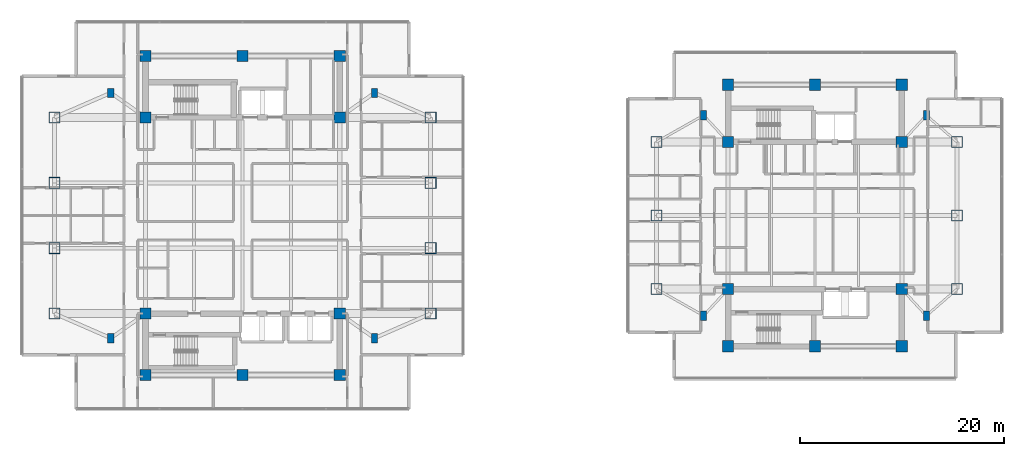
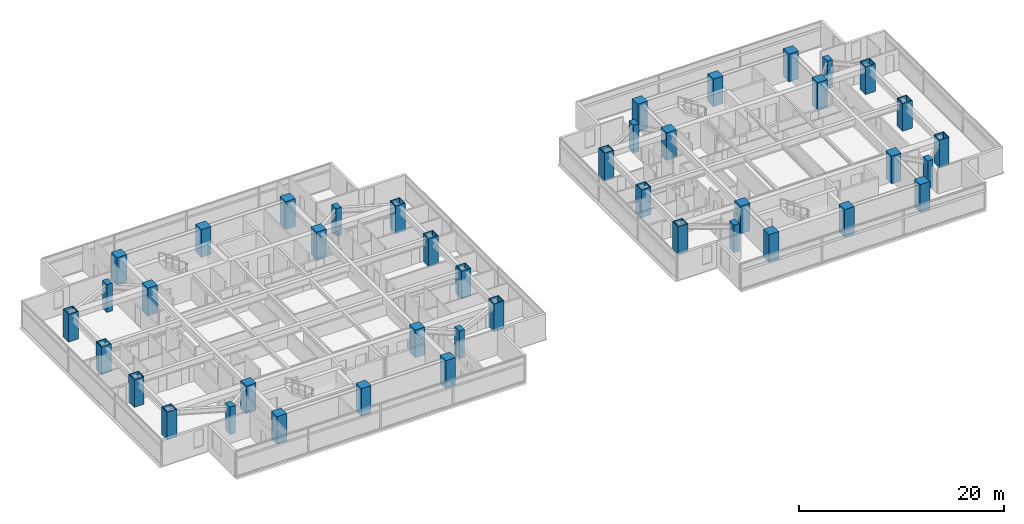
# One storey, part 1 of 24: 42 columns.
"""IFC4 building model written with IfcOpenShell, lengths in metres."""

from ifc_helpers import new_model, si_unit, direction, frame, origin, origin_2d, place, context, subcontext, project, spatial, rectangle, hollow_rectangle, extrude, material, material_profile, profile_set, type_object, element, save


model = new_model("IFC4")

# Units and contexts
model_context = context("Model", 3, precision=1e-05, world=origin(), true_north=direction((0.0, 1.0)))
body_context = subcontext(model_context, "Body", "Model", "MODEL_VIEW")
ifc_project = project(units=[si_unit("LENGTHUNIT", "METRE"), si_unit("AREAUNIT", "SQUARE_METRE"), si_unit("VOLUMEUNIT", "CUBIC_METRE"), si_unit("PLANEANGLEUNIT", "RADIAN"), si_unit("MASSUNIT", "GRAM", prefix="KILO")], contexts=[model_context])

# Site, building, storey
site_placement = place(None, origin())
site = spatial("IfcSite", under=ifc_project, at=site_placement, CompositionType="ELEMENT")
building_placement = place(site_placement, origin())
building = spatial("IfcBuilding", under=site, at=building_placement, Name="Mirazonda Arch Towers", CompositionType="ELEMENT")
storey_placement = place(building_placement, frame((0.0, 0.0, 137.89990234375)))
storey = spatial("IfcBuildingStorey", under=building, at=storey_placement, Name="L39", CompositionType="ELEMENT", Elevation=137.89990234375)

# Columns
ifc_material_1 = material(Name="Concrete C50/60", Category="concrete")
ifc_material_profile_1 = material_profile(ifc_material_1, rectangle(XDim=1.10009765625, YDim=1.10009765625, at=origin_2d()), Name="RC1100x1100")
ifc_profile_set_1 = profile_set([ifc_material_profile_1], Name="Concrete C50/60")
column_type_1 = type_object("IfcColumnType", Name="COL-INT-RC1100x1100", PredefinedType="COLUMN", material=ifc_profile_set_1)
for number, where, z_axis, x_axis, name in (
    (1, (11.0, 12.39990234375, 0.0), (0.0, 0.0, 1.0), (1.0, 0.0, 0.0), "L39 T1 Core Column 01"),
    (2, (20.5, 12.39990234375, 0.0), (0.0, 0.0, 1.0), (1.0, 0.0, 0.0), "L39 T1 Core Column 02"),
    (3, (30.0, 12.39990234375, 0.0), (0.0, 0.0, 1.0), (1.0, 0.0, 0.0), "L39 T1 Core Column 03"),
    (4, (11.0, 18.39990234375, 0.0), (0.0, 0.0, 1.0), (1.0, 0.0, 0.0), "L39 T1 Core Column 04"),
    (5, (30.0, 18.39990234375, 0.0), (0.0, 0.0, 1.0), (1.0, 0.0, 0.0), "L39 T1 Core Column 05"),
    (6, (11.0, 37.60009765625, 0.0), (0.0, 0.0, 1.0), (1.0, 0.0, 0.0), "L39 T1 Core Column 06"),
    (7, (30.0, 37.60009765625, 0.0), (0.0, 0.0, 1.0), (1.0, 0.0, 0.0), "L39 T1 Core Column 07"),
    (8, (11.0, 43.60009765625, 0.0), (0.0, 0.0, 1.0), (1.0, 0.0, 0.0), "L39 T1 Core Column 08"),
    (9, (20.5, 43.60009765625, 0.0), (0.0, 0.0, 1.0), (1.0, 0.0, 0.0), "L39 T1 Core Column 09"),
    (10, (30.0, 43.60009765625, 0.0), (0.0, 0.0, 1.0), (1.0, 0.0, 0.0), "L39 T1 Core Column 10"),
    (11, (68.0, 15.199951171875, 0.0), (0.0, 0.0, 1.0), (1.0, 0.0, 0.0), "L39 T2 Core Column 01"),
    (12, (76.5, 15.199951171875, 0.0), (0.0, 0.0, 1.0), (1.0, 0.0, 0.0), "L39 T2 Core Column 02"),
    (13, (85.0, 15.199951171875, 0.0), (0.0, 0.0, 1.0), (1.0, 0.0, 0.0), "L39 T2 Core Column 03"),
    (14, (68.0, 20.800048828125, 0.0), (0.0, 0.0, 1.0), (1.0, 0.0, 0.0), "L39 T2 Core Column 04"),
    (15, (85.0, 20.800048828125, 0.0), (0.0, 0.0, 1.0), (1.0, 0.0, 0.0), "L39 T2 Core Column 05"),
    (16, (68.0, 35.199951171875, 0.0), (0.0, 0.0, 1.0), (1.0, 0.0, 0.0), "L39 T2 Core Column 06"),
    (17, (85.0, 35.199951171875, 0.0), (0.0, 0.0, 1.0), (1.0, 0.0, 0.0), "L39 T2 Core Column 07"),
    (18, (68.0, 40.800048828125, 0.0), (0.0, 0.0, 1.0), (1.0, 0.0, 0.0), "L39 T2 Core Column 08"),
    (19, (76.5, 40.800048828125, 0.0), (0.0, 0.0, 1.0), (1.0, 0.0, 0.0), "L39 T2 Core Column 09"),
    (20, (85.0, 40.800048828125, 0.0), (0.0, 0.0, 1.0), (1.0, 0.0, 0.0), "L39 T2 Core Column 10"),
):
    element("IfcColumn", number, at=place(storey_placement, frame(where, z_axis=z_axis, x_axis=x_axis)), inside=storey, type_object=column_type_1, Name=name, PredefinedType="COLUMN", context=body_context, shape_type="SweptSolid", body=[
        extrude(rectangle(XDim=1.10009765625, YDim=1.10009765625, at=origin_2d()), origin(), (0.0, 0.0, 1.0), 3.300048828125),
    ])
ifc_material_2 = material(Name="Steel ASTM A572 Grade 50", Category="steel")
ifc_material_profile_2 = material_profile(ifc_material_2, hollow_rectangle(XDim=1.10009765625, YDim=1.10009765625, WallThickness=0.06005859375, at=origin_2d()), Name="BOX1100x1100x60")
ifc_profile_set_2 = profile_set([ifc_material_profile_2], Name="Steel ASTM A572 Grade 50")
column_type_2 = type_object("IfcColumnType", Name="MCOL-EXT-BOX1100x1100x60", PredefinedType="COLUMN", material=ifc_profile_set_2)
for number, where, z_axis, x_axis, name in (
    (21, (2.10009765625, 18.39990234375, 0.0), (0.0, 0.0, 1.0), (1.0, 0.0, 0.0), "L39 T1 Composite Mega-Column 01"),
    (22, (2.10009765625, 24.800048828125, 0.0), (0.0, 0.0, 1.0), (1.0, 0.0, 0.0), "L39 T1 Composite Mega-Column 02"),
    (23, (2.10009765625, 31.199951171875, 0.0), (0.0, 0.0, 1.0), (1.0, 0.0, 0.0), "L39 T1 Composite Mega-Column 03"),
    (24, (2.10009765625, 37.60009765625, 0.0), (0.0, 0.0, 1.0), (1.0, 0.0, 0.0), "L39 T1 Composite Mega-Column 04"),
    (25, (38.89990234375, 18.39990234375, 0.0), (0.0, 0.0, 1.0), (1.0, 0.0, 0.0), "L39 T1 Composite Mega-Column 05"),
    (26, (38.89990234375, 24.800048828125, 0.0), (0.0, 0.0, 1.0), (1.0, 0.0, 0.0), "L39 T1 Composite Mega-Column 06"),
    (27, (38.89990234375, 31.199951171875, 0.0), (0.0, 0.0, 1.0), (1.0, 0.0, 0.0), "L39 T1 Composite Mega-Column 07"),
    (28, (38.89990234375, 37.60009765625, 0.0), (0.0, 0.0, 1.0), (1.0, 0.0, 0.0), "L39 T1 Composite Mega-Column 08"),
    (29, (61.0, 20.800048828125, 0.0), (0.0, 0.0, 1.0), (1.0, 0.0, 0.0), "L39 T2 Composite Mega-Column 01"),
    (30, (61.0, 28.0, 0.0), (0.0, 0.0, 1.0), (1.0, 0.0, 0.0), "L39 T2 Composite Mega-Column 02"),
    (31, (61.0, 35.199951171875, 0.0), (0.0, 0.0, 1.0), (1.0, 0.0, 0.0), "L39 T2 Composite Mega-Column 03"),
    (32, (90.39990234375, 20.800048828125, 0.0), (0.0, 0.0, 1.0), (1.0, 0.0, 0.0), "L39 T2 Composite Mega-Column 04"),
    (33, (90.39990234375, 28.0, 0.0), (0.0, 0.0, 1.0), (1.0, 0.0, 0.0), "L39 T2 Composite Mega-Column 05"),
    (34, (90.39990234375, 35.199951171875, 0.0), (0.0, 0.0, 1.0), (1.0, 0.0, 0.0), "L39 T2 Composite Mega-Column 06"),
):
    element("IfcColumn", number, at=place(storey_placement, frame(where, z_axis=z_axis, x_axis=x_axis)), inside=storey, type_object=column_type_2, Name=name, PredefinedType="COLUMN", context=body_context, shape_type="SweptSolid", body=[
        extrude(hollow_rectangle(XDim=1.10009765625, YDim=1.10009765625, WallThickness=0.06005859375, at=origin_2d()), origin(), (0.0, 0.0, 1.0), 3.300048828125),
    ])
ifc_material_profile_3 = material_profile(ifc_material_1, rectangle(XDim=0.60009765625, YDim=0.89990234375, at=origin_2d()), Name="RC900x600")
ifc_profile_set_3 = profile_set([ifc_material_profile_3], Name="Concrete C50/60")
column_type_3 = type_object("IfcColumnType", Name="PIL-EXT-RC900x600", PredefinedType="PILASTER", material=ifc_profile_set_3)
for number, where, z_axis, x_axis, name in (
    (35, (7.60009765625, 16.0, 0.0), (0.0, 0.0, 1.0), (1.0, 0.0, 0.0), "L39 T1 Corner Pilaster 01"),
    (36, (33.39990234375, 16.0, 0.0), (0.0, 0.0, 1.0), (1.0, 0.0, 0.0), "L39 T1 Corner Pilaster 02"),
    (37, (7.60009765625, 40.0, 0.0), (0.0, 0.0, 1.0), (1.0, 0.0, 0.0), "L39 T1 Corner Pilaster 03"),
    (38, (33.39990234375, 40.0, 0.0), (0.0, 0.0, 1.0), (1.0, 0.0, 0.0), "L39 T1 Corner Pilaster 04"),
    (39, (65.60009765625, 18.199951171875, 0.0), (0.0, 0.0, 1.0), (1.0, 0.0, 0.0), "L39 T2 Corner Pilaster 01"),
    (40, (87.39990234375, 18.199951171875, 0.0), (0.0, 0.0, 1.0), (1.0, 0.0, 0.0), "L39 T2 Corner Pilaster 02"),
    (41, (65.60009765625, 37.800048828125, 0.0), (0.0, 0.0, 1.0), (1.0, 0.0, 0.0), "L39 T2 Corner Pilaster 03"),
    (42, (87.39990234375, 37.800048828125, 0.0), (0.0, 0.0, 1.0), (1.0, 0.0, 0.0), "L39 T2 Corner Pilaster 04"),
):
    element("IfcColumn", number, at=place(storey_placement, frame(where, z_axis=z_axis, x_axis=x_axis)), inside=storey, type_object=column_type_3, Name=name, PredefinedType="PILASTER", context=body_context, shape_type="SweptSolid", body=[
        extrude(rectangle(XDim=0.60009765625, YDim=0.89990234375, at=origin_2d()), origin(), (0.0, 0.0, 1.0), 3.300048828125),
    ])

save(model, "model.ifc")
